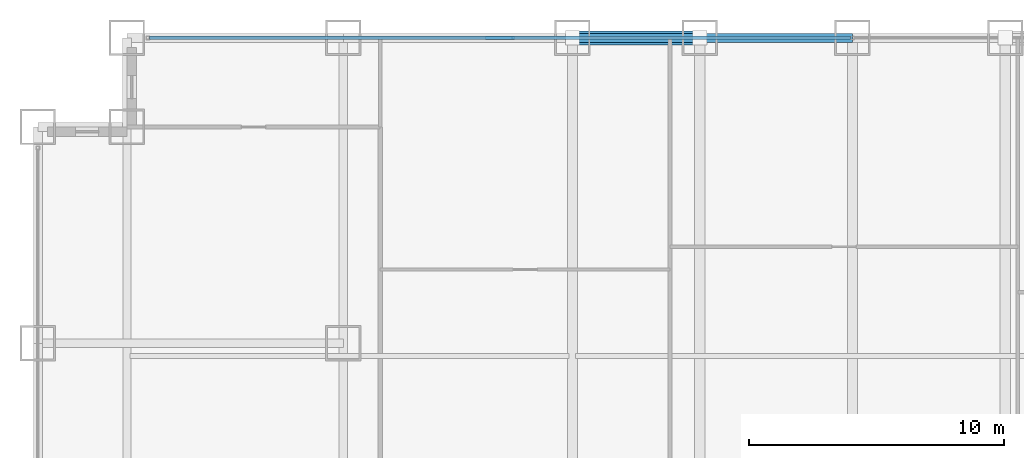
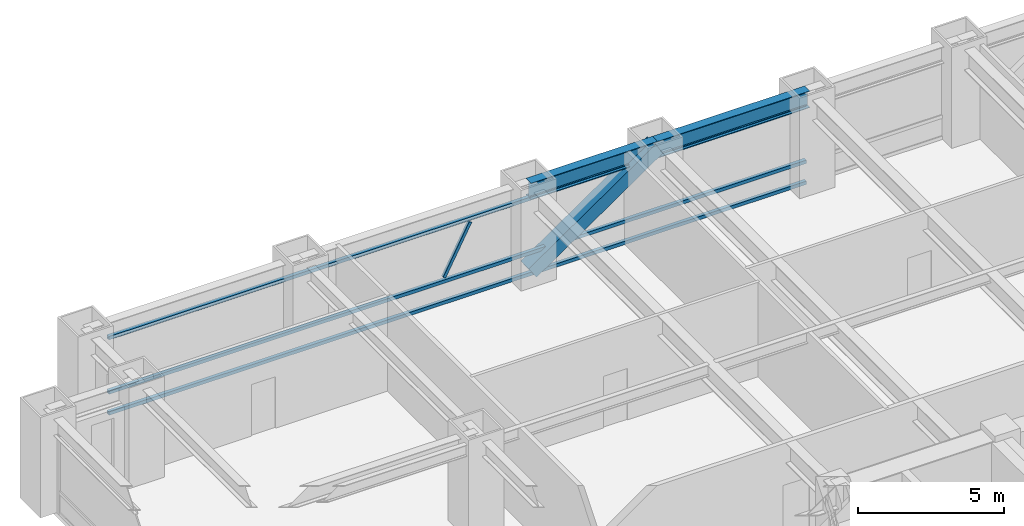
# One storey, part 18 of 28: 5 members, 2 beams, 1 element without a shape of its own.
"""IFC4 building model written with IfcOpenShell, lengths in metres."""

from ifc_helpers import new_model, si_unit, direction, frame, origin, origin_2d, place, context, subcontext, project, spatial, hollow_rectangle, i_section, extrude, source, transform, mapped, material, material_profile, profile_set, type_object, element, aggregate, save


model = new_model("IFC4")

# Units and contexts
model_context = context("Model", 3, precision=1e-05, world=origin(), true_north=direction((0.0, 1.0)))
body_context = subcontext(model_context, "Body", "Model", "MODEL_VIEW")
ifc_project = project(units=[si_unit("LENGTHUNIT", "METRE"), si_unit("AREAUNIT", "SQUARE_METRE"), si_unit("VOLUMEUNIT", "CUBIC_METRE"), si_unit("PLANEANGLEUNIT", "RADIAN"), si_unit("MASSUNIT", "GRAM", prefix="KILO")], contexts=[model_context])

# Site, building, storey
site_placement = place(None, origin())
site = spatial("IfcSite", under=ifc_project, at=site_placement, CompositionType="ELEMENT")
building_placement = place(site_placement, origin())
building = spatial("IfcBuilding", under=site, at=building_placement, Name="Khorayat Bourse Tower", CompositionType="ELEMENT")
storey_placement = place(building_placement, frame((0.0, 0.0, 83.0)))
storey = spatial("IfcBuildingStorey", under=building, at=storey_placement, Name="L18", CompositionType="ELEMENT", Elevation=83.0)

# Beams
ifc_material_1 = material(Name="Steel ASTM A992 Grade 50", Category="steel")
ifc_material_profile_1 = material_profile(ifc_material_1, i_section(OverallWidth=0.35498046875, OverallDepth=0.695068359375, WebThickness=0.015380859375, FlangeThickness=0.02490234375, FilletRadius=0.01806640625, at=origin_2d()), Name="W690X217")
ifc_profile_set_1 = profile_set([ifc_material_profile_1], Name="Steel ASTM A992 Grade 50")
beam_type = type_object("IfcBeamType", Name="BM-SPAN-690", PredefinedType="SPANDREL", material=ifc_profile_set_1)
shared_shape_1 = source(origin(), body_context, "Body", "SweptSolid", [
    extrude(i_section(OverallWidth=0.35498046875, OverallDepth=0.695068359375, WebThickness=0.015380859375, FlangeThickness=0.02490234375, FilletRadius=0.01806640625, at=origin_2d()), origin(), (0.0, 0.0, 1.0), 5.0),
])
beam_1_placement = place(storey_placement, frame((-11.0, 32.0, 3.592529296875), z_axis=(1.0, 0.0, 0.0), x_axis=(0.0, 1.0, 0.0)))
element("IfcBeam", 1, at=beam_1_placement, inside=storey, type_object=beam_type, Name="L18 BM-SPAN-690 BM-L18-SPN-049", PredefinedType="SPANDREL", context=body_context, shape_type="MappedRepresentation", body=[
    mapped(shared_shape_1, transform((0.0, 0.0, 0.0), scale=1.0)),
])
shared_shape_2 = source(origin(), body_context, "Body", "SweptSolid", [
    extrude(i_section(OverallWidth=0.35498046875, OverallDepth=0.695068359375, WebThickness=0.015380859375, FlangeThickness=0.02490234375, FilletRadius=0.01806640625, at=origin_2d()), origin(), (0.0, 0.0, 1.0), 6.0),
])
beam_2_placement = place(storey_placement, frame((-6.0, 32.0, 3.592529296875), z_axis=(1.0, 0.0, 0.0), x_axis=(0.0, 1.0, 0.0)))
element("IfcBeam", 2, at=beam_2_placement, inside=storey, type_object=beam_type, Name="L18 BM-SPAN-690 BM-L18-SPN-048", PredefinedType="SPANDREL", context=body_context, shape_type="MappedRepresentation", body=[
    mapped(shared_shape_2, transform((0.0, 0.0, 0.0), scale=1.0)),
])

# Member
ifc_material_2 = material(Name="Steel EN 10025-4 S460M", Category="steel")
ifc_material_profile_2 = material_profile(ifc_material_2, hollow_rectangle(XDim=0.550048828125, YDim=0.550048828125, WallThickness=0.031982421875, at=origin_2d()), Name="HSS 550x550x32")
ifc_profile_set_2 = profile_set([ifc_material_profile_2], Name="Steel EN 10025-4 S460M")
member_type_1 = type_object("IfcMemberType", Name="MBR-TUBE-550", PredefinedType="BRACE", material=ifc_profile_set_2)
shared_shape_3 = source(origin(), body_context, "Body", "SweptSolid", [
    extrude(hollow_rectangle(XDim=0.550048828125, YDim=0.550048828125, WallThickness=0.031982421875, at=origin_2d()), origin(), (0.0, 0.0, 1.0), 6.069091796875),
])
member_1_placement = place(storey_placement, frame((-11.0, 32.0, 0.25), z_axis=(0.823854080622, 0.0, 0.566801952928), x_axis=(0.0, 1.0, 0.0)))
element("IfcMember", 3, at=member_1_placement, inside=storey, type_object=member_type_1, Name="L18 Perimeter Tube Brace 03", PredefinedType="BRACE", context=body_context, shape_type="MappedRepresentation", body=[
    mapped(shared_shape_3, transform((0.0, 0.0, 0.0), scale=1.0)),
])

# Curtain wall, members
ifc_material_3 = material(Name="Aluminium EN AW-6063 T6", Category="aluminium")
curtain_wall_type = type_object("IfcCurtainWallType", Name="CW-SYS-02", PredefinedType="NOTDEFINED", material=ifc_material_3)
curtain_wall_placement = place(storey_placement, origin())
curtain_wall = element("IfcCurtainWall", 4, at=curtain_wall_placement, inside=storey, type_object=curtain_wall_type, Name="L18 Curtain Wall CW-L18-N1", PredefinedType="NOTDEFINED")
ifc_material_profile_3 = material_profile(ifc_material_3, hollow_rectangle(XDim=0.1201171875, YDim=0.1201171875, WallThickness=0.0048828125, at=origin_2d()), Name="ALU 120x120x5")
ifc_profile_set_3 = profile_set([ifc_material_profile_3], Name="Aluminium EN AW-6063 T6")
member_type_2 = type_object("IfcMemberType", Name="CWM-DIAG-120", PredefinedType="MULLION", material=ifc_profile_set_3)
shared_shape_4 = source(origin(), body_context, "Body", "SweptSolid", [
    extrude(hollow_rectangle(XDim=0.1201171875, YDim=0.1201171875, WallThickness=0.0048828125, at=origin_2d()), origin(), (0.0, 0.0, 1.0), 2.22607421875),
])
member_2_placement = place(storey_placement, frame((-14.3583984375, 32.0, 1.10009765625), z_axis=(0.465759992596, 0.0, 0.884911085532), x_axis=(0.0, 1.0, 0.0)))
member_2 = element("IfcMember", 5, at=member_2_placement, type_object=member_type_2, Name="CW-L18-N1 Faceted Diagonal Mullion 1", PredefinedType="MULLION", context=body_context, shape_type="MappedRepresentation", body=[
    mapped(shared_shape_4, transform((0.0, 0.0, 0.0), scale=1.0)),
])
ifc_material_profile_4 = material_profile(ifc_material_3, hollow_rectangle(XDim=0.139892578125, YDim=0.139892578125, WallThickness=0.006103515625, at=origin_2d()), Name="ALU 140x140x6")
ifc_profile_set_4 = profile_set([ifc_material_profile_4], Name="Aluminium EN AW-6063 T6")
member_type_3 = type_object("IfcMemberType", Name="CWT-HORZ-140", PredefinedType="USERDEFINED", material=ifc_profile_set_4)
shared_shape_5 = source(origin(), body_context, "Body", "SweptSolid", [
    extrude(hollow_rectangle(XDim=0.139892578125, YDim=0.139892578125, WallThickness=0.006103515625, at=origin_2d()), origin(), (0.0, 0.0, 1.0), 27.5400390625),
])
member_3_placement = place(storey_placement, frame((-27.610107421875, 32.0, 0.070068359375), z_axis=(1.0, 0.0, 0.0), x_axis=(0.0, 1.0, 0.0)))
member_3 = element("IfcMember", 6, at=member_3_placement, type_object=member_type_3, Name="CW-L18-N1 Horizontal Transom 1-1", ObjectType="TRANSOM", PredefinedType="USERDEFINED", context=body_context, shape_type="MappedRepresentation", body=[
    mapped(shared_shape_5, transform((0.0, 0.0, 0.0), scale=1.0)),
])
member_4_placement = place(storey_placement, frame((-27.610107421875, 32.0, 0.949951171875), z_axis=(1.0, 0.0, 0.0), x_axis=(0.0, 1.0, 0.0)))
member_4 = element("IfcMember", 7, at=member_4_placement, type_object=member_type_3, Name="CW-L18-N1 Horizontal Transom 1-2", ObjectType="TRANSOM", PredefinedType="USERDEFINED", context=body_context, shape_type="MappedRepresentation", body=[
    mapped(shared_shape_5, transform((0.0, 0.0, 0.0), scale=1.0)),
])
member_5_placement = place(storey_placement, frame((-27.610107421875, 32.0, 3.219970703125), z_axis=(1.0, 0.0, 0.0), x_axis=(0.0, 1.0, 0.0)))
member_5 = element("IfcMember", 8, at=member_5_placement, type_object=member_type_3, Name="CW-L18-N1 Horizontal Transom 1-3", ObjectType="TRANSOM", PredefinedType="USERDEFINED", context=body_context, shape_type="MappedRepresentation", body=[
    mapped(shared_shape_5, transform((0.0, 0.0, 0.0), scale=1.0)),
])
aggregate(curtain_wall, [member_3, member_4, member_5, member_2])

save(model, "model.ifc")
